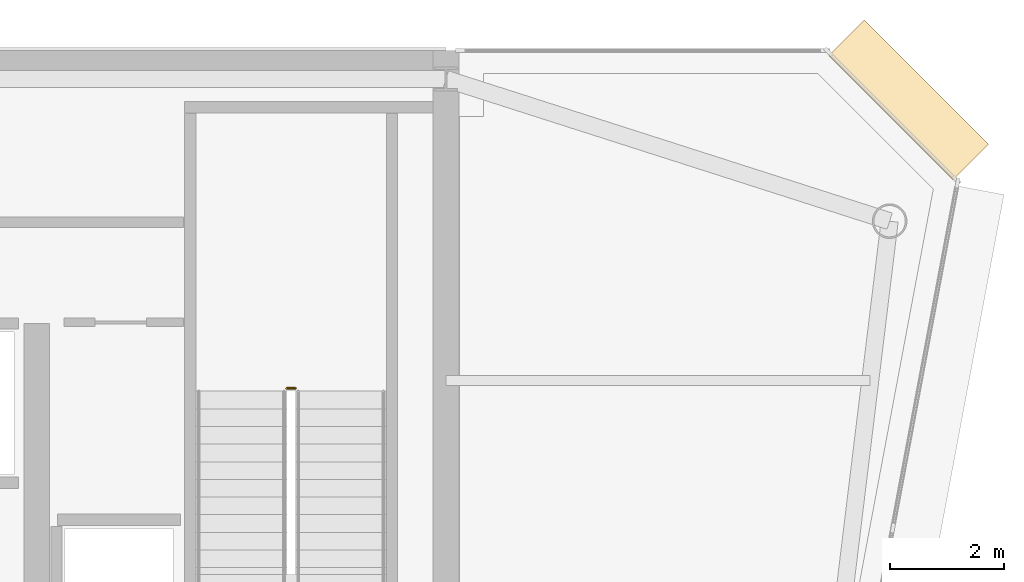
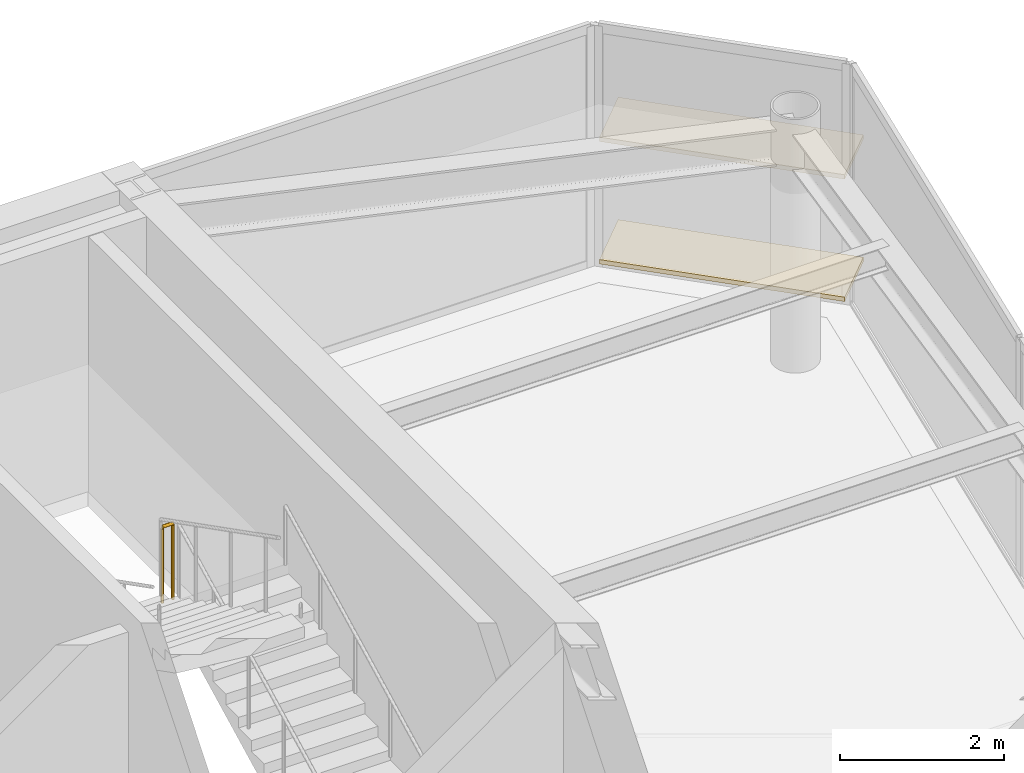
# One storey, part 19 of 19: 2 coverings, 1 railing.
"""IFC4 building model written with IfcOpenShell, lengths in metres."""

from ifc_helpers import new_model, si_unit, direction, frame, origin, origin_2d, place, context, subcontext, project, spatial, rectangle, circle, extrude, source, transform, mapped, material, layer, layer_set, type_object, element, save


model = new_model("IFC4")

# Units and contexts
model_context = context("Model", 3, precision=1e-05, world=origin(), true_north=direction((0.0, 1.0)))
body_context = subcontext(model_context, "Body", "Model", "MODEL_VIEW")
ifc_project = project(units=[si_unit("LENGTHUNIT", "METRE"), si_unit("AREAUNIT", "SQUARE_METRE"), si_unit("VOLUMEUNIT", "CUBIC_METRE"), si_unit("PLANEANGLEUNIT", "RADIAN"), si_unit("MASSUNIT", "GRAM", prefix="KILO")], contexts=[model_context])

# Site, building, storey
site_placement = place(None, origin())
site = spatial("IfcSite", under=ifc_project, at=site_placement, CompositionType="ELEMENT")
building_placement = place(site_placement, origin())
building = spatial("IfcBuilding", under=site, at=building_placement, Name="Vaeldorn Concourse Tower", CompositionType="ELEMENT")
storey_placement = place(building_placement, frame((0.0, 0.0, 272.60009765625)))
storey = spatial("IfcBuildingStorey", under=building, at=storey_placement, Name="L70", CompositionType="ELEMENT", Elevation=272.60009765625)

# Railing
ifc_material = material(Name="Anodised Bronze Aluminium", Category="aluminium")
railing_type = type_object("IfcRailingType", Name="RL-STAIR-GUARD", PredefinedType="GUARDRAIL", material=ifc_material)
railing_placement = place(storey_placement, frame((51.35009765625, 45.06005859375, 1.89990234375)))
element("IfcRailing", 1, at=railing_placement, inside=storey, type_object=railing_type, Name="L70 ST-2 stair guard 2", PredefinedType="GUARDRAIL", context=body_context, shape_type="SweptSolid", body=[
    extrude(circle(Radius=0.02392578125, at=origin_2d()), frame((0.0, 0.0, 1.1259765625), z_axis=(-1.0, 0.0, 0.0), x_axis=(0.0, -1.0, 0.0)), (0.0, 0.0, 1.0), 0.150146484375),
    extrude(circle(Radius=0.02099609375, at=origin_2d()), origin(), (0.0, 0.0, 1.0), 1.101806640625),
    extrude(circle(Radius=0.02099609375, at=origin_2d()), frame((-0.150146484375, 0.0, 0.0)), (0.0, 0.0, 1.0), 1.101806640625),
])

# Coverings
ifc_layer = layer(ifc_material, 0.06494140625)
ifc_layer_set = layer_set([ifc_layer], Name="Anodised Bronze Aluminium")
covering_type = type_object("IfcCoveringType", Name="SD-BRONZE-SUNSHADE", PredefinedType="USERDEFINED", material=ifc_layer_set)
shared_shape = source(origin(), body_context, "Body", "SweptSolid", [
    extrude(rectangle(XDim=3.0927734375, YDim=0.8798828125, at=origin_2d()), origin(), (0.0, 0.0, 1.0), 0.06494140625),
])
for number, where, z_axis, x_axis, name in (
    (2, (62.1328125, 50.1328125, 0.04736328125), (0.0, 0.0, 1.0), (-0.707106781187, 0.707106781187, 0.0), "Horizontal Bronze Sunshade L70-E08.1.1"),
    (3, (62.1328125, 50.1328125, 1.867431640625), (0.0, 0.0, 1.0), (-0.707106781187, 0.707106781187, 0.0), "Horizontal Bronze Sunshade L70-E08.1.2"),
):
    element("IfcCovering", number, at=place(storey_placement, frame(where, z_axis=z_axis, x_axis=x_axis)), inside=storey, type_object=covering_type, Name=name, ObjectType="SUNSHADE", PredefinedType="USERDEFINED", context=body_context, shape_type="MappedRepresentation", body=[
        mapped(shared_shape, transform((0.0, 0.0, 0.0), scale=1.0)),
    ])

save(model, "model.ifc")
